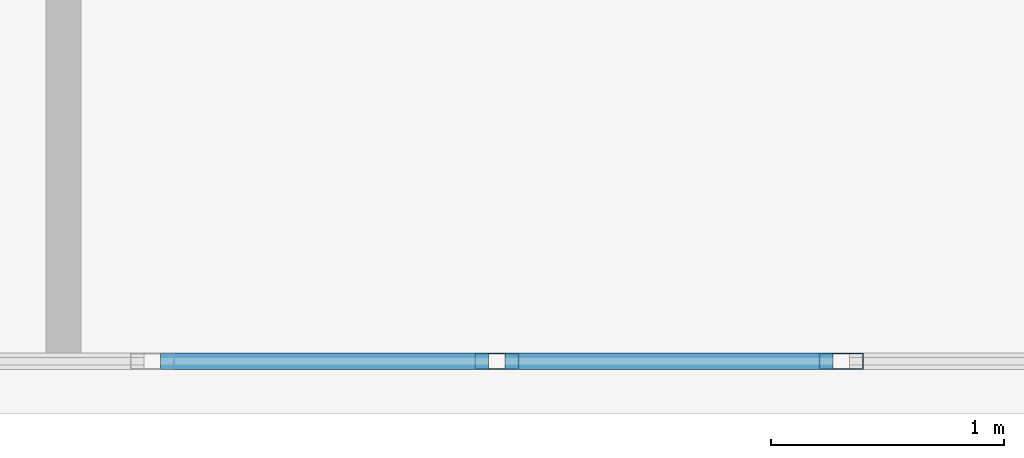
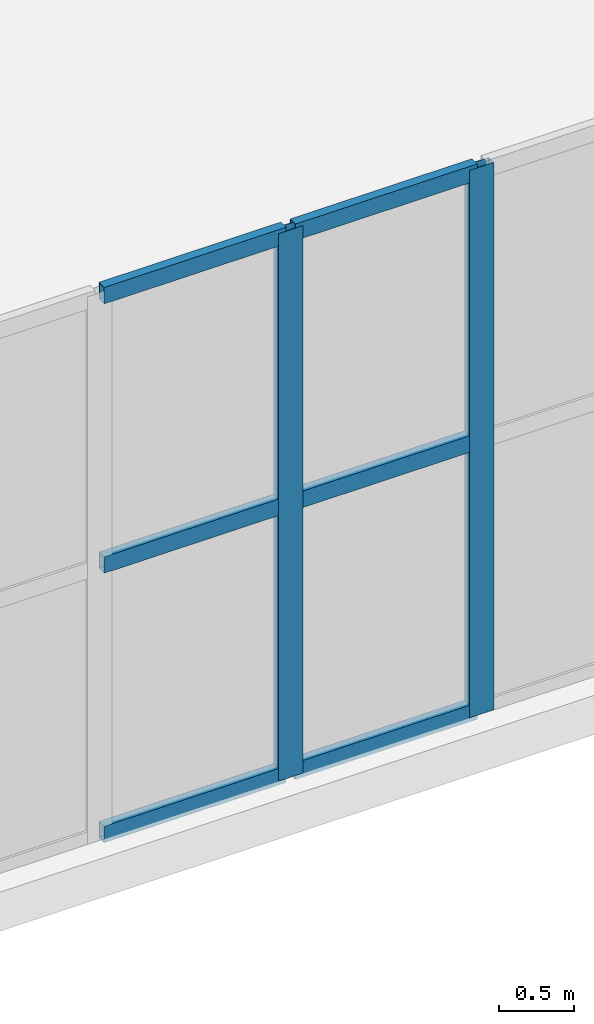
# One storey, part 5 of 17: 8 members, 1 element without a shape of its own.
"""IFC4 building model written with IfcOpenShell, lengths in metres."""

import ifcopenshell
import ifcopenshell.guid

model = None  # the IFC model being written
_history = None  # IfcOwnerHistory: only IFC2X3 demands one
_inside = {}  # id of a spatial element -> (the spatial element, [elements in it])
_under = {}  # id of a project, library or spatial element -> (it, [spatial elements below it])
_declared = {}  # id of a project -> (the project, [libraries it declares])
_typed = {}  # id of a type object -> (the type object, [elements of that type])
_made_of = {}  # id of a material, layer set ... -> (it, [elements and type objects made of it])


def new_model(schema):
    """Start an empty IFC model of exactly this schema.

    Asked for "IFC4X3", IfcOpenShell would pick the latest addendum, in which some entities
    have other attributes; the version numbers below select the first issue.
    IFC2X3 requires an IfcOwnerHistory on every rooted entity: one is made here for all.
    """
    global model, _history
    if schema == "IFC4X3":
        model = ifcopenshell.file(schema_version=(4, 3, 0, 0))
    else:
        model = ifcopenshell.file(schema=schema)
    _inside.clear()
    _under.clear()
    _declared.clear()
    _typed.clear()
    _made_of.clear()
    _history = None
    if model.schema == "IFC2X3":
        org = make("IfcOrganization", Name="unknown")
        user = make(
            "IfcPersonAndOrganization",
            ThePerson=make("IfcPerson", FamilyName="unknown"),
            TheOrganization=org,
        )
        app = make(
            "IfcApplication",
            ApplicationDeveloper=org,
            Version="unknown",
            ApplicationFullName="unknown",
            ApplicationIdentifier="unknown",
        )
        _history = make(
            "IfcOwnerHistory",
            OwningUser=user,
            OwningApplication=app,
            ChangeAction="ADDED",
            CreationDate=0,
        )
    return model


def make(cls, **values):
    """One entity of the class cls with the attributes given. An attribute that is None is left unset."""
    return model.create_entity(
        cls, **{name: value for name, value in values.items() if value is not None}
    )


def rooted(cls, **values):
    """An entity with a GlobalId (a new one), such as an element, a storey or a relation."""
    return make(cls, GlobalId=ifcopenshell.guid.new(), OwnerHistory=_history, **values)


def si_unit(unit_type, name, prefix=None):
    """IfcSIUnit, for example si_unit("LENGTHUNIT", "METRE", prefix="MILLI")."""
    return make("IfcSIUnit", UnitType=unit_type, Prefix=prefix, Name=name)


def assignment(units):
    """IfcUnitAssignment: the units of a project."""
    return None if units is None else make("IfcUnitAssignment", Units=units)


def point(xyz):
    """IfcCartesianPoint."""
    return None if xyz is None else make("IfcCartesianPoint", Coordinates=xyz)


def direction(xyz):
    """IfcDirection."""
    return None if xyz is None else make("IfcDirection", DirectionRatios=xyz)


def frame(location, z_axis=None, x_axis=None):
    """IfcAxis2Placement3D, a coordinate frame: its origin and axes. An axis left out is left unset."""
    return make(
        "IfcAxis2Placement3D",
        Location=point(location),
        Axis=direction(z_axis),
        RefDirection=direction(x_axis),
    )


def frame_2d(location, x_axis=None):
    """IfcAxis2Placement2D, a coordinate frame in the plane: its origin and x axis."""
    return make(
        "IfcAxis2Placement2D", Location=point(location), RefDirection=direction(x_axis)
    )


def origin():
    """The frame at (0, 0, 0) with its axes left unset."""
    return frame((0.0, 0.0, 0.0))


def origin_2d():
    """The frame at (0, 0) in the plane with its x axis left unset."""
    return frame_2d((0.0, 0.0))


def place(relative_to, where):
    """IfcLocalPlacement: puts the frame where relative to a parent placement (None: the world)."""
    return make(
        "IfcLocalPlacement", PlacementRelTo=relative_to, RelativePlacement=where
    )


def context(
    kind, dimensions, precision=None, world=None, true_north=None, identifier=None
):
    """IfcGeometricRepresentationContext, for example the 3D "Model" context."""
    return make(
        "IfcGeometricRepresentationContext",
        ContextIdentifier=identifier,
        ContextType=kind,
        CoordinateSpaceDimension=dimensions,
        Precision=precision,
        WorldCoordinateSystem=world,
        TrueNorth=true_north,
    )


def subcontext(parent, identifier, kind, view, scale=None):
    """IfcGeometricRepresentationSubContext, for example "Body" below "Model"."""
    return make(
        "IfcGeometricRepresentationSubContext",
        ContextIdentifier=identifier,
        ContextType=kind,
        ParentContext=parent,
        TargetScale=scale,
        TargetView=view,
    )


def project(units=None, contexts=None):
    """IfcProject with its units and contexts."""
    return rooted(
        "IfcProject",
        Name="project",
        RepresentationContexts=contexts,
        UnitsInContext=assignment(units),
    )


def spatial(cls, under=None, at=None, **own):
    """A site, building, storey or space (cls), placed at a placement, below another one or the project."""
    s = rooted(cls, ObjectPlacement=at, **own)
    if under is not None:
        _under.setdefault(under.id(), (under, []))[1].append(s)
    return s


def profile(cls, at=None, kind="AREA", **sizes):
    """A parametric profile (cls). Its sizes go by their IFC names, for example OverallWidth=200.0."""
    return make(cls, ProfileType=kind, Position=at, **sizes)


def hollow_rectangle(**sizes):
    """IfcRectangleHollowProfileDef."""
    return profile("IfcRectangleHollowProfileDef", **sizes)


def extrude(swept, where, along, depth):
    """IfcExtrudedAreaSolid: the profile swept, set in the frame where, extruded along a direction by depth."""
    return make(
        "IfcExtrudedAreaSolid",
        SweptArea=swept,
        Position=where,
        ExtrudedDirection=direction(along),
        Depth=depth,
    )


def shape(context_of_items, identifier, shape_type, items):
    """IfcShapeRepresentation: the items that make up one representation, for example the "Body"."""
    return make(
        "IfcShapeRepresentation",
        ContextOfItems=context_of_items,
        RepresentationIdentifier=identifier,
        RepresentationType=shape_type,
        Items=items,
    )


def material(Name=None, Category=None):
    """IfcMaterial."""
    return make("IfcMaterial", Name=Name, Category=Category)


def layer(
    of_material, thickness, ventilated=None, Name=None, Category=None, Priority=None
):
    """IfcMaterialLayer: one layer of a wall or slab, of a material (None: an air gap)."""
    return make(
        "IfcMaterialLayer",
        Material=of_material,
        LayerThickness=thickness,
        IsVentilated=ventilated,
        Name=Name,
        Category=Category,
        Priority=Priority,
    )


def layer_set(layers, Name=None):
    """IfcMaterialLayerSet."""
    return make("IfcMaterialLayerSet", MaterialLayers=layers, LayerSetName=Name)


def material_profile(
    of_material, cross_section, Name=None, Category=None, Priority=None
):
    """IfcMaterialProfile: a cross section and its material."""
    return make(
        "IfcMaterialProfile",
        Name=Name,
        Material=of_material,
        Profile=cross_section,
        Priority=Priority,
        Category=Category,
    )


def profile_set(profiles, Name=None, composite=None):
    """IfcMaterialProfileSet."""
    return make(
        "IfcMaterialProfileSet",
        Name=Name,
        MaterialProfiles=profiles,
        CompositeProfile=composite,
    )


def made_of(thing, what):
    """Note that an element or type object is made of a material, layer set ...; save() writes the relation."""
    if what is not None:
        _made_of.setdefault(what.id(), (what, []))[1].append(thing)
    return thing


def type_object(cls, material=None, **own):
    """A type object (cls), such as IfcWallType, which elements share."""
    return made_of(rooted(cls, **own), material)


def element(
    cls,
    number,
    at=None,
    inside=None,
    cuts=None,
    type_object=None,
    material=None,
    context=None,
    identifier="Body",
    shape_type=None,
    held_by="IfcProductDefinitionShape",
    body=None,
    shapes=None,
    **own,
):
    """One element of the class cls, such as IfcWall. Its Tag is "e" and its number.

    at: its placement. inside: the storey or other place that contains it. cuts: it is an
    opening in that element (IfcRelVoidsElement). A single representation is given by context,
    identifier, shape_type and body (its items); several are given by shapes. held_by: the class
    of the entity that holds the representations. save() writes the other relations.
    """
    e = rooted(cls, Tag="e%d" % number, ObjectPlacement=at, **own)
    if body is not None:
        shapes = [shape(context, identifier, shape_type, body)]
    if shapes is not None:
        e.Representation = make(held_by, Representations=shapes)
    if inside is not None:
        _inside.setdefault(inside.id(), (inside, []))[1].append(e)
    if cuts is not None:
        rooted(
            "IfcRelVoidsElement", RelatingBuildingElement=cuts, RelatedOpeningElement=e
        )
    if type_object is not None:
        _typed.setdefault(type_object.id(), (type_object, []))[1].append(e)
    return made_of(e, material)


def aggregate(whole, parts):
    """IfcRelAggregates: a whole, such as a stair, and the parts it consists of."""
    return rooted("IfcRelAggregates", RelatingObject=whole, RelatedObjects=parts)


def save(model, path):
    """Write the relations noted so far, then the file.

    IfcRelAggregates (storeys below a building ...), IfcRelContainedInSpatialStructure (elements
    in a storey), IfcRelDefinesByType, IfcRelAssociatesMaterial and IfcRelDeclares: one each for
    every whole, place, type object, material and project.
    """
    for whole, parts in _under.values():
        aggregate(whole, parts)
    for where, things in _inside.values():
        rooted(
            "IfcRelContainedInSpatialStructure",
            RelatedElements=things,
            RelatingStructure=where,
        )
    for kind, things in _typed.values():
        rooted("IfcRelDefinesByType", RelatedObjects=things, RelatingType=kind)
    for what, things in _made_of.values():
        rooted("IfcRelAssociatesMaterial", RelatedObjects=things, RelatingMaterial=what)
    for by, libraries in _declared.values():
        rooted("IfcRelDeclares", RelatingContext=by, RelatedDefinitions=libraries)
    model.write(path)


model = new_model("IFC4")

# Units and contexts
model_context = context("Model", 3, precision=1e-05, world=origin(), true_north=direction((0.0, 1.0)))
body_context = subcontext(model_context, "Body", "Model", "MODEL_VIEW")
ifc_project = project(units=[si_unit("LENGTHUNIT", "METRE"), si_unit("AREAUNIT", "SQUARE_METRE"), si_unit("VOLUMEUNIT", "CUBIC_METRE"), si_unit("PLANEANGLEUNIT", "RADIAN"), si_unit("MASSUNIT", "GRAM", prefix="KILO")], contexts=[model_context])

# Site, building, storey
site_placement = place(None, origin())
site = spatial("IfcSite", under=ifc_project, at=site_placement, CompositionType="ELEMENT")
building_placement = place(site_placement, origin())
building = spatial("IfcBuilding", under=site, at=building_placement, Name="Kilnhurst Terrace Hotel", CompositionType="ELEMENT")
storey_placement = place(building_placement, frame((0.0, 0.0, 18.60009765625)))
storey = spatial("IfcBuildingStorey", under=building, at=storey_placement, Name="L03", CompositionType="ELEMENT", Elevation=18.60009765625)

# Curtain wall, members
ifc_material_1 = material(Name="Anodized Aluminium Alloy 6063-T6 and Low-E Glass", Category="aluminium")
ifc_layer = layer(ifc_material_1, 0.219970703125, Name="Anodized Aluminium Alloy 6063-T6 and Low-E Glass")
ifc_layer_set = layer_set([ifc_layer], Name="Anodized Aluminium Alloy 6063-T6 and Low-E Glass")
curtain_wall_type = type_object("IfcCurtainWallType", Name="CW-POD-TERR", PredefinedType="NOTDEFINED", material=ifc_layer_set)
curtain_wall_placement = place(storey_placement, origin())
curtain_wall = element("IfcCurtainWall", 1, at=curtain_wall_placement, inside=storey, type_object=curtain_wall_type, Name="L03 Curtain Wall CW-L03-F1-1", PredefinedType="NOTDEFINED")
ifc_material_2 = material(Name="Extruded Aluminium Alloy 6063-T6", Category="aluminium")
ifc_material_profile_1 = material_profile(ifc_material_2, hollow_rectangle(XDim=0.070068359375, YDim=0.18994140625, WallThickness=0.00390625, at=origin_2d()), Name="CWM70X190")
ifc_profile_set_1 = profile_set([ifc_material_profile_1], Name="Extruded Aluminium Alloy 6063-T6")
member_type_1 = type_object("IfcMemberType", Name="MEM-CWM70X190", PredefinedType="MULLION", material=ifc_profile_set_1)
member_1_placement = place(storey_placement, frame((1.85986328125, -26.47509765625, 0.0), z_axis=(0.0, 0.0, 1.0), x_axis=(0.0, 1.0, 0.0)))
member_1 = element("IfcMember", 2, at=member_1_placement, type_object=member_type_1, Name="CWT-2 mullion 7", PredefinedType="MULLION", context=body_context, shape_type="SweptSolid", body=[
    extrude(hollow_rectangle(XDim=0.070068359375, YDim=0.18994140625, WallThickness=0.00390625, at=origin_2d()), origin(), (0.0, 0.0, 1.0), 4.47998046875),
])
member_2_placement = place(storey_placement, frame((3.33837890625, -26.47509765625, 0.0), z_axis=(0.0, 0.0, 1.0), x_axis=(0.0, 1.0, 0.0)))
member_2 = element("IfcMember", 3, at=member_2_placement, type_object=member_type_1, Name="CWT-2 mullion 8", PredefinedType="MULLION", context=body_context, shape_type="SweptSolid", body=[
    extrude(hollow_rectangle(XDim=0.070068359375, YDim=0.18994140625, WallThickness=0.00390625, at=origin_2d()), origin(), (0.0, 0.0, 1.0), 4.47998046875),
])
ifc_material_profile_2 = material_profile(ifc_material_2, hollow_rectangle(XDim=0.070068359375, YDim=0.135009765625, WallThickness=0.00390625, at=origin_2d()), Name="CWT70X135")
ifc_profile_set_2 = profile_set([ifc_material_profile_2], Name="Extruded Aluminium Alloy 6063-T6")
member_type_2 = type_object("IfcMemberType", Name="MEM-CWT70X135", PredefinedType="USERDEFINED", material=ifc_profile_set_2)
member_3_placement = place(storey_placement, frame((0.416015625, -26.47509765625, 0.034912109375), z_axis=(1.0, 0.0, 0.0), x_axis=(0.0, 1.0, 0.0)))
member_3 = element("IfcMember", 4, at=member_3_placement, type_object=member_type_2, Name="CWT-2 transom 6.1", ObjectType="TRANSOM", PredefinedType="USERDEFINED", context=body_context, shape_type="SweptSolid", body=[
    extrude(hollow_rectangle(XDim=0.070068359375, YDim=0.135009765625, WallThickness=0.00390625, at=origin_2d()), origin(), (0.0, 0.0, 1.0), 1.40869140625),
])
member_4_placement = place(storey_placement, frame((0.416015625, -26.47509765625, 2.239990234375), z_axis=(1.0, 0.0, 0.0), x_axis=(0.0, 1.0, 0.0)))
member_4 = element("IfcMember", 5, at=member_4_placement, type_object=member_type_2, Name="CWT-2 transom 6.2", ObjectType="TRANSOM", PredefinedType="USERDEFINED", context=body_context, shape_type="SweptSolid", body=[
    extrude(hollow_rectangle(XDim=0.070068359375, YDim=0.135009765625, WallThickness=0.00390625, at=origin_2d()), origin(), (0.0, 0.0, 1.0), 1.40869140625),
])
member_5_placement = place(storey_placement, frame((0.416015625, -26.47509765625, 4.44482421875), z_axis=(1.0, 0.0, 0.0), x_axis=(0.0, 1.0, 0.0)))
member_5 = element("IfcMember", 6, at=member_5_placement, type_object=member_type_2, Name="CWT-2 transom 6.3", ObjectType="TRANSOM", PredefinedType="USERDEFINED", context=body_context, shape_type="SweptSolid", body=[
    extrude(hollow_rectangle(XDim=0.070068359375, YDim=0.135009765625, WallThickness=0.00390625, at=origin_2d()), origin(), (0.0, 0.0, 1.0), 1.40869140625),
])
member_6_placement = place(storey_placement, frame((1.894775390625, -26.47509765625, 0.034912109375), z_axis=(1.0, 0.0, 0.0), x_axis=(0.0, 1.0, 0.0)))
member_6 = element("IfcMember", 7, at=member_6_placement, type_object=member_type_2, Name="CWT-2 transom 7.1", ObjectType="TRANSOM", PredefinedType="USERDEFINED", context=body_context, shape_type="SweptSolid", body=[
    extrude(hollow_rectangle(XDim=0.070068359375, YDim=0.135009765625, WallThickness=0.00390625, at=origin_2d()), origin(), (0.0, 0.0, 1.0), 1.40869140625),
])
member_7_placement = place(storey_placement, frame((1.894775390625, -26.47509765625, 2.239990234375), z_axis=(1.0, 0.0, 0.0), x_axis=(0.0, 1.0, 0.0)))
member_7 = element("IfcMember", 8, at=member_7_placement, type_object=member_type_2, Name="CWT-2 transom 7.2", ObjectType="TRANSOM", PredefinedType="USERDEFINED", context=body_context, shape_type="SweptSolid", body=[
    extrude(hollow_rectangle(XDim=0.070068359375, YDim=0.135009765625, WallThickness=0.00390625, at=origin_2d()), origin(), (0.0, 0.0, 1.0), 1.40869140625),
])
member_8_placement = place(storey_placement, frame((1.894775390625, -26.47509765625, 4.44482421875), z_axis=(1.0, 0.0, 0.0), x_axis=(0.0, 1.0, 0.0)))
member_8 = element("IfcMember", 9, at=member_8_placement, type_object=member_type_2, Name="CWT-2 transom 7.3", ObjectType="TRANSOM", PredefinedType="USERDEFINED", context=body_context, shape_type="SweptSolid", body=[
    extrude(hollow_rectangle(XDim=0.070068359375, YDim=0.135009765625, WallThickness=0.00390625, at=origin_2d()), origin(), (0.0, 0.0, 1.0), 1.40869140625),
])
aggregate(curtain_wall, [member_1, member_2, member_3, member_4, member_5, member_6, member_7, member_8])

save(model, "model.ifc")
